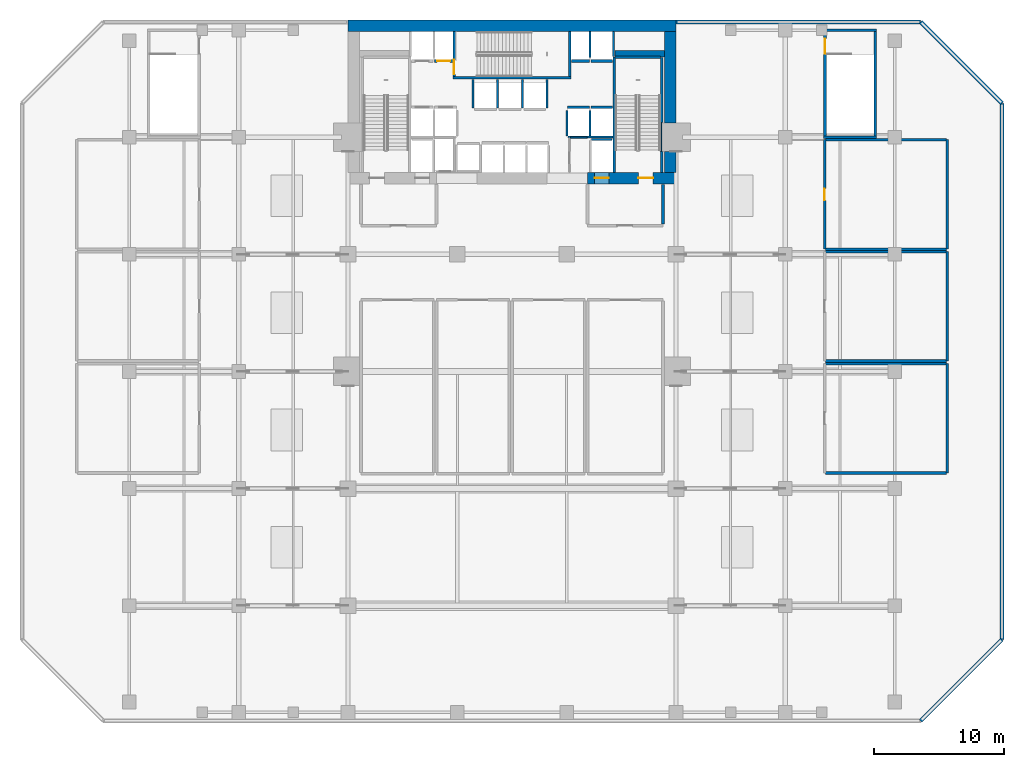
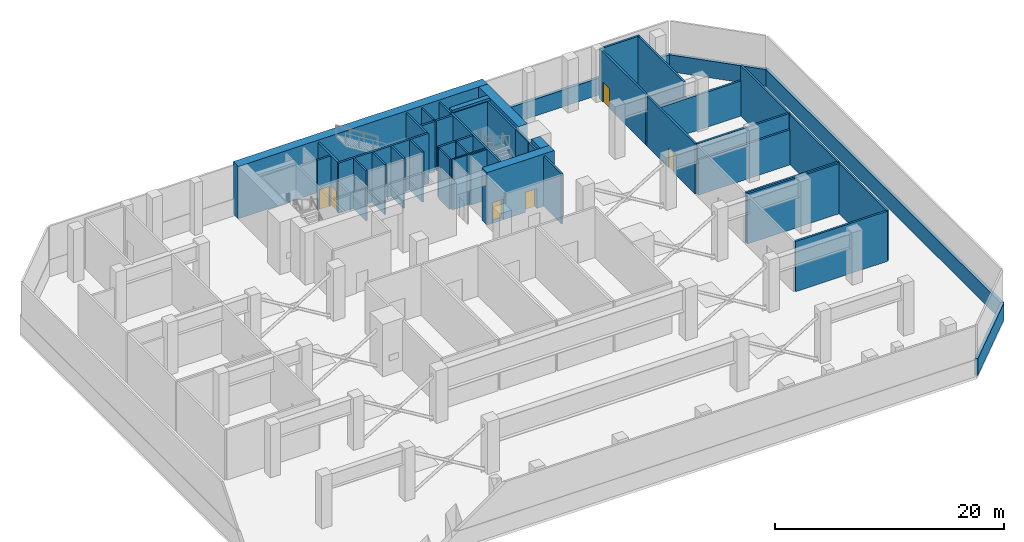
# One storey, part 10 of 15: 48 walls, 6 doors, 6 openings.
"""IFC4 building model written with IfcOpenShell, lengths in metres."""

from ifc_helpers import new_model, si_unit, direction, frame, frame_2d, origin, place, context, subcontext, project, spatial, rectangle, extrude, material, layer, layer_set, type_object, element, fill, save


model = new_model("IFC4")

# Units and contexts
model_context = context("Model", 3, precision=1e-05, world=origin(), true_north=direction((0.0, 1.0)))
body_context = subcontext(model_context, "Body", "Model", "MODEL_VIEW")
ifc_project = project(units=[si_unit("LENGTHUNIT", "METRE"), si_unit("AREAUNIT", "SQUARE_METRE"), si_unit("VOLUMEUNIT", "CUBIC_METRE"), si_unit("PLANEANGLEUNIT", "RADIAN"), si_unit("MASSUNIT", "GRAM", prefix="KILO")], contexts=[model_context])

# Site, building, storey
site_placement = place(None, origin())
site = spatial("IfcSite", under=ifc_project, at=site_placement, CompositionType="ELEMENT")
building_placement = place(site_placement, origin())
building = spatial("IfcBuilding", under=site, at=building_placement, Name="Maruvema Waterfront Hotel and Observation Tower", CompositionType="ELEMENT")
storey_placement = place(building_placement, frame((0.0, 0.0, 21.35009765625)))
storey = spatial("IfcBuildingStorey", under=building, at=storey_placement, Name="L04", CompositionType="ELEMENT", Elevation=21.35009765625)

# Walls
ifc_material_1 = material(Name="Precast concrete C45/55", Category="concrete")
ifc_layer_1 = layer(ifc_material_1, 0.199951171875, Name="Core Shaft and Stairwell Enclosure Wall 200 mm")
ifc_layer_set_1 = layer_set([ifc_layer_1], Name="Precast concrete C45/55")
wall_type_1 = type_object("IfcWallType", Name="Core Shaft and Stairwell Enclosure Wall 200 mm", PredefinedType="SOLIDWALL", material=ifc_layer_set_1)
wall_1_placement = place(storey_placement, frame((33.25, 49.550048828125, 0.0), z_axis=(0.0, 0.0, 1.0), x_axis=(1.0, 0.0, 0.0)))
element("IfcWall", 1, at=wall_1_placement, inside=storey, type_object=wall_type_1, Name="L04 Stairwell ST-02 Shaft Wall", PredefinedType="SOLIDWALL", context=body_context, shape_type="SweptSolid", body=[
    extrude(rectangle(XDim=9.10009765625, YDim=0.199951171875, at=frame_2d((4.550048828125, 0.0))), origin(), (0.0, 0.0, 1.0), 5.35986328125),
])
wall_2_placement = place(storey_placement, frame((42.25, 49.64990234375, 0.0), z_axis=(0.0, 0.0, 1.0), x_axis=(0.0, 1.0, 0.0)))
element("IfcWall", 2, at=wall_2_placement, inside=storey, type_object=wall_type_1, Name="L04 Stairwell ST-02 Shaft Wall", PredefinedType="SOLIDWALL", context=body_context, shape_type="SweptSolid", body=[
    extrude(rectangle(XDim=3.4501953125, YDim=0.199951171875, at=frame_2d((1.72509765625, 0.0))), origin(), (0.0, 0.0, 1.0), 5.35986328125),
])

# Wall, opening, door
wall_3_placement = place(storey_placement, frame((33.35009765625, 49.64990234375, 0.0), z_axis=(0.0, 0.0, 1.0), x_axis=(0.0, 1.0, 0.0)))
wall_3 = element("IfcWall", 3, at=wall_3_placement, inside=storey, type_object=wall_type_1, Name="L04 Stairwell ST-02 Shaft Wall", PredefinedType="SOLIDWALL", context=body_context, shape_type="SweptSolid", body=[
    extrude(rectangle(XDim=3.4501953125, YDim=0.199951171875, at=frame_2d((1.72509765625, 0.0))), origin(), (0.0, 0.0, 1.0), 5.35986328125),
])
opening_1_placement = place(wall_3_placement, frame((0.179931640625, 0.0, 0.0)))
opening_1 = element("IfcOpeningElement", 4, at=opening_1_placement, cuts=wall_3, Name="Opening SD-02", PredefinedType="OPENING", context=body_context, shape_type="SweptSolid", body=[
    extrude(rectangle(XDim=1.10009765625, YDim=2.14990234375, at=frame_2d((0.550048828125, 1.074951171875))), frame((0.0, 0.10986328125, 0.0), z_axis=(0.0, -1.0, 0.0), x_axis=(1.0, 0.0, 0.0)), (0.0, 0.0, 1.0), 0.219970703125),
])
ifc_material_2 = material(Name="Fire-rated galvanised steel leaf", Category="steel")
door_type_1 = type_object("IfcDoorType", Name="Central Exit Stair Fire Door 1100x2150 mm", OperationType="NOTDEFINED", PredefinedType="DOOR", material=ifc_material_2)
door_1_placement = place(opening_1_placement, frame((1.10009765625, 0.0, 0.0), z_axis=(0.0, 0.0, 1.0), x_axis=(-1.0, 0.0, 0.0)))
door_1 = element("IfcDoor", 5, at=door_1_placement, inside=storey, type_object=door_type_1, Name="L04 Exit Stair ST-02 Fire Door", OperationType="SINGLE_SWING_LEFT", OverallHeight=2.14990234375, OverallWidth=1.10009765625, PredefinedType="DOOR", context=body_context, shape_type="SweptSolid", body=[
    extrude(rectangle(XDim=1.10009765625, YDim=2.14990234375, at=frame_2d((0.550048828125, 1.074951171875))), frame((0.0, 0.02490234375, 0.0), z_axis=(0.0, -1.0, 0.0), x_axis=(1.0, 0.0, 0.0)), (0.0, 0.0, 1.0), 0.050048828125),
])
fill(opening_1, door_1)

# Walls
wall_4_placement = place(storey_placement, frame((45.64990234375, 42.300048828125, 0.0), z_axis=(0.0, 0.0, 1.0), x_axis=(0.0, 1.0, 0.0)))
element("IfcWall", 6, at=wall_4_placement, inside=storey, type_object=wall_type_1, Name="L04 Stairwell ST-03 West Shaft Wall", PredefinedType="SOLIDWALL", context=body_context, shape_type="SweptSolid", body=[
    extrude(rectangle(XDim=8.849853515625, YDim=0.199951171875, at=frame_2d((4.4248046875, 0.0))), origin(), (0.0, 0.0, 1.0), 5.35986328125),
])
wall_5_placement = place(storey_placement, frame((49.300048828125, 42.300048828125, 0.0), z_axis=(0.0, 0.0, 1.0), x_axis=(0.0, 1.0, 0.0)))
element("IfcWall", 7, at=wall_5_placement, inside=storey, type_object=wall_type_1, Name="L04 Stairwell ST-03 Shaft Lining Wall", PredefinedType="SOLIDWALL", context=body_context, shape_type="SweptSolid", body=[
    extrude(rectangle(XDim=1.579833984375, YDim=0.199951171875, at=frame_2d((0.7900390625, 0.0))), origin(), (0.0, 0.0, 1.0), 5.35986328125),
])
wall_6_placement = place(storey_placement, frame((49.300048828125, 46.1201171875, 0.0), z_axis=(0.0, 0.0, 1.0), x_axis=(0.0, 1.0, 0.0)))
element("IfcWall", 8, at=wall_6_placement, inside=storey, type_object=wall_type_1, Name="L04 Stairwell ST-03 Shaft Lining Wall", PredefinedType="SOLIDWALL", context=body_context, shape_type="SweptSolid", body=[
    extrude(rectangle(XDim=5.0, YDim=0.199951171875, at=frame_2d((2.5, 0.0))), origin(), (0.0, 0.0, 1.0), 5.35986328125),
])
wall_7_placement = place(storey_placement, frame((45.719970703125, 51.14990234375, 0.0), z_axis=(0.0, 0.0, 1.0), x_axis=(1.0, 0.0, 0.0)))
element("IfcWall", 9, at=wall_7_placement, inside=storey, type_object=wall_type_1, Name="L04 Stairwell ST-03 Shaft Lining Wall", PredefinedType="SOLIDWALL", context=body_context, shape_type="SweptSolid", body=[
    extrude(rectangle(XDim=3.5, YDim=0.199951171875, at=frame_2d((1.75, 0.0))), origin(), (0.0, 0.0, 1.0), 5.35986328125),
])
wall_8_placement = place(storey_placement, frame((61.75, 45.0, 0.0), z_axis=(0.0, 0.0, 1.0), x_axis=(1.0, 0.0, 0.0)))
element("IfcWall", 10, at=wall_8_placement, inside=storey, type_object=wall_type_1, Name="L04 Stairwell ST-05 Shaft Wall", PredefinedType="SOLIDWALL", context=body_context, shape_type="SweptSolid", body=[
    extrude(rectangle(XDim=4.050048828125, YDim=0.199951171875, at=frame_2d((2.02490234375, 0.0))), origin(), (0.0, 0.0, 1.0), 3.760009765625),
])

# Wall, opening, door
wall_9_placement = place(storey_placement, frame((61.85009765625, 45.10009765625, 0.0), z_axis=(0.0, 0.0, 1.0), x_axis=(0.0, 1.0, 0.0)))
wall_9 = element("IfcWall", 11, at=wall_9_placement, inside=storey, type_object=wall_type_1, Name="L04 Stairwell ST-05 Shaft Wall", PredefinedType="SOLIDWALL", context=body_context, shape_type="SweptSolid", body=[
    extrude(rectangle(XDim=8.099853515625, YDim=0.199951171875, at=frame_2d((4.0498046875, 0.0))), origin(), (0.0, 0.0, 1.0), 5.35986328125),
])
opening_2_placement = place(wall_9_placement, frame((6.320068359375, 0.0, 0.0)))
opening_2 = element("IfcOpeningElement", 12, at=opening_2_placement, cuts=wall_9, Name="Opening SD-01", PredefinedType="OPENING", context=body_context, shape_type="SweptSolid", body=[
    extrude(rectangle(XDim=1.14990234375, YDim=2.14990234375, at=frame_2d((0.574951171875, 1.074951171875))), frame((0.0, 0.10986328125, 0.0), z_axis=(0.0, -1.0, 0.0), x_axis=(1.0, 0.0, 0.0)), (0.0, 0.0, 1.0), 0.219970703125),
])
ifc_material_3 = material(Name="Fire-rated galvanised steel leaf", Category="steel")
door_type_2 = type_object("IfcDoorType", Name="Exit Stair Fire Door 1150x2150 mm", OperationType="NOTDEFINED", PredefinedType="DOOR", material=ifc_material_3)
door_2_placement = place(opening_2_placement, frame((1.14990234375, 0.0, 0.0), z_axis=(0.0, 0.0, 1.0), x_axis=(-1.0, 0.0, 0.0)))
door_2 = element("IfcDoor", 13, at=door_2_placement, inside=storey, type_object=door_type_2, Name="L04 Exit Stair ST-05 Fire Door", OperationType="SINGLE_SWING_LEFT", OverallHeight=2.14990234375, OverallWidth=1.14990234375, PredefinedType="DOOR", context=body_context, shape_type="SweptSolid", body=[
    extrude(rectangle(XDim=1.14990234375, YDim=2.14990234375, at=frame_2d((0.574951171875, 1.074951171875))), frame((0.0, 0.02490234375, 0.0), z_axis=(0.0, -1.0, 0.0), x_axis=(1.0, 0.0, 0.0)), (0.0, 0.0, 1.0), 0.050048828125),
])
fill(opening_2, door_2)

# Walls
wall_10_placement = place(storey_placement, frame((65.699951171875, 45.10009765625, 0.0), z_axis=(0.0, 0.0, 1.0), x_axis=(0.0, 1.0, 0.0)))
element("IfcWall", 14, at=wall_10_placement, inside=storey, type_object=wall_type_1, Name="L04 Stairwell ST-05 Shaft Wall", PredefinedType="SOLIDWALL", context=body_context, shape_type="SweptSolid", body=[
    extrude(rectangle(XDim=8.099853515625, YDim=0.199951171875, at=frame_2d((4.0498046875, 0.0))), origin(), (0.0, 0.0, 1.0), 5.35986328125),
])
wall_11_placement = place(storey_placement, frame((61.75, 53.199951171875, 0.0), z_axis=(0.0, 0.0, 1.0), x_axis=(1.0, 0.0, 0.0)))
element("IfcWall", 15, at=wall_11_placement, inside=storey, type_object=wall_type_1, Name="L04 Stairwell ST-05 Shaft Wall", PredefinedType="SOLIDWALL", context=body_context, shape_type="SweptSolid", body=[
    extrude(rectangle(XDim=4.050048828125, YDim=0.199951171875, at=frame_2d((2.02490234375, 0.0))), origin(), (0.0, 0.0, 1.0), 5.35986328125),
])

# Wall, opening, door
wall_12_placement = place(storey_placement, frame((31.860107421875, 50.85009765625, 0.0), z_axis=(0.0, 0.0, 1.0), x_axis=(1.0, 0.0, 0.0)))
wall_12 = element("IfcWall", 16, at=wall_12_placement, inside=storey, type_object=wall_type_1, Name="L04 Lift LF-04 Hoistway Front Wall", PredefinedType="SOLIDWALL", context=body_context, shape_type="SweptSolid", body=[
    extrude(rectangle(XDim=1.3798828125, YDim=0.199951171875, at=frame_2d((0.68994140625, 0.0))), origin(), (0.0, 0.0, 1.0), 5.35986328125),
])
opening_3_placement = place(wall_12_placement, frame((0.18994140625, 0.0, 0.0)))
opening_3 = element("IfcOpeningElement", 17, at=opening_3_placement, cuts=wall_12, Name="Opening LD-01", PredefinedType="OPENING", context=body_context, shape_type="SweptSolid", body=[
    extrude(rectangle(XDim=1.0, YDim=2.14990234375, at=frame_2d((0.5, 1.074951171875))), frame((0.0, 0.10986328125, 0.0), z_axis=(0.0, -1.0, 0.0), x_axis=(1.0, 0.0, 0.0)), (0.0, 0.0, 1.0), 0.219970703125),
])
ifc_material_4 = material(Name="Brushed stainless steel Grade 316", Category="steel")
door_type_3 = type_object("IfcDoorType", Name="Passenger Lift Sliding Landing Door 1000x2150 mm", OperationType="SLIDING_TO_LEFT", PredefinedType="DOOR", material=ifc_material_4)
door_3_placement = place(opening_3_placement, frame((1.0, 0.0, 0.0), z_axis=(0.0, 0.0, 1.0), x_axis=(-1.0, 0.0, 0.0)))
door_3 = element("IfcDoor", 18, at=door_3_placement, inside=storey, type_object=door_type_3, Name="L04 Lift LF-04 Sliding Landing Door", OperationType="SLIDING_TO_LEFT", OverallHeight=2.14990234375, OverallWidth=1.0, PredefinedType="DOOR", context=body_context, shape_type="SweptSolid", body=[
    extrude(rectangle(XDim=1.0, YDim=2.14990234375, at=frame_2d((0.5, 1.074951171875))), frame((0.0, 0.02490234375, 0.0), z_axis=(0.0, -1.0, 0.0), x_axis=(1.0, 0.0, 0.0)), (0.0, 0.0, 1.0), 0.050048828125),
])
fill(opening_3, door_3)

# Walls
for number, where, z_axis, x_axis, name in (
    (19, (42.06005859375, 47.300048828125, 0.0), (0.0, 0.0, 1.0), (1.0, 0.0, 0.0), "L04 Lift LF-05 Hoistway Front Wall"),
    (20, (43.860107421875, 47.300048828125, 0.0), (0.0, 0.0, 1.0), (1.0, 0.0, 0.0), "L04 Lift LF-06 Hoistway Front Wall"),
):
    element("IfcWall", number, at=place(storey_placement, frame(where, z_axis=z_axis, x_axis=x_axis)), inside=storey, type_object=wall_type_1, Name=name, PredefinedType="SOLIDWALL", context=body_context, shape_type="SweptSolid", body=[
        extrude(rectangle(XDim=1.679931640625, YDim=0.199951171875, at=frame_2d((0.83984375, 0.0))), origin(), (0.0, 0.0, 1.0), 5.35986328125),
    ])
wall_13_placement = place(storey_placement, frame((42.360107421875, 50.85009765625, 0.0), z_axis=(0.0, 0.0, 1.0), x_axis=(1.0, 0.0, 0.0)))
element("IfcWall", 21, at=wall_13_placement, inside=storey, type_object=wall_type_1, Name="L04 Lift LF-07 Hoistway Front Wall", PredefinedType="SOLIDWALL", context=body_context, shape_type="SweptSolid", body=[
    extrude(rectangle(XDim=1.3798828125, YDim=0.199951171875, at=frame_2d((0.68994140625, 0.0))), origin(), (0.0, 0.0, 1.0), 5.35986328125),
])
wall_14_placement = place(storey_placement, frame((43.860107421875, 50.85009765625, 0.0), z_axis=(0.0, 0.0, 1.0), x_axis=(1.0, 0.0, 0.0)))
element("IfcWall", 22, at=wall_14_placement, inside=storey, type_object=wall_type_1, Name="L04 Lift LF-08 Hoistway Front Wall", PredefinedType="SOLIDWALL", context=body_context, shape_type="SweptSolid", body=[
    extrude(rectangle(XDim=1.679931640625, YDim=0.199951171875, at=frame_2d((0.83984375, 0.0))), origin(), (0.0, 0.0, 1.0), 5.35986328125),
])
ifc_material_5 = material(Name="Concrete C70/85", Category="concrete")
ifc_layer_2 = layer(ifc_material_5, 0.5, Name="Core Shear Wall 500 mm")
ifc_layer_set_2 = layer_set([ifc_layer_2], Name="Concrete C70/85")
wall_type_2 = type_object("IfcWallType", Name="Core Shear Wall 500 mm", PredefinedType="SHEAR", material=ifc_layer_set_2)
wall_15_placement = place(storey_placement, frame((45.699951171875, 51.39990234375, 0.0), z_axis=(0.0, 0.0, 1.0), x_axis=(1.0, 0.0, 0.0)))
element("IfcWall", 23, at=wall_15_placement, inside=storey, type_object=wall_type_2, Name="L04 Internal Core Shear Wall NE 500 mm", PredefinedType="SHEAR", context=body_context, shape_type="SweptSolid", body=[
    extrude(rectangle(XDim=3.800048828125, YDim=0.5, at=frame_2d((1.89990234375, 0.0))), origin(), (0.0, 0.0, 1.0), 5.599853515625),
])
ifc_material_6 = material(Name="Concrete C80/95", Category="concrete")
ifc_layer_3 = layer(ifc_material_6, 0.89990234375, Name="Core Shear Wall 900 mm")
ifc_layer_set_3 = layer_set([ifc_layer_3], Name="Concrete C80/95")
wall_type_3 = type_object("IfcWallType", Name="Core Shear Wall 900 mm", PredefinedType="SHEAR", material=ifc_layer_set_3)
wall_16_placement = place(storey_placement, frame((25.199951171875, 53.550048828125, 0.0), z_axis=(0.0, 0.0, 1.0), x_axis=(1.0, 0.0, 0.0)))
element("IfcWall", 24, at=wall_16_placement, inside=storey, type_object=wall_type_3, Name="L04 North Core Shear Wall", PredefinedType="SHEAR", context=body_context, shape_type="SweptSolid", body=[
    extrude(rectangle(XDim=25.199951171875, YDim=0.89990234375, at=frame_2d((12.60009765625, 0.0))), origin(), (0.0, 0.0, 1.0), 5.599853515625),
])

# Wall, openings, doors
wall_17_placement = place(storey_placement, frame((43.60009765625, 41.85009765625, 0.0), z_axis=(0.0, 0.0, 1.0), x_axis=(1.0, 0.0, 0.0)))
wall_17 = element("IfcWall", 25, at=wall_17_placement, inside=storey, type_object=wall_type_3, Name="L04 South-East Core Shear Wall", PredefinedType="SHEAR", context=body_context, shape_type="SweptSolid", body=[
    extrude(rectangle(XDim=6.7998046875, YDim=0.89990234375, at=frame_2d((3.39990234375, 0.0))), origin(), (0.0, 0.0, 1.0), 5.599853515625),
])
opening_4_placement = place(wall_17_placement, frame((3.89990234375, 0.0, 0.0)))
opening_4 = element("IfcOpeningElement", 26, at=opening_4_placement, cuts=wall_17, Name="Opening SD-01", PredefinedType="OPENING", context=body_context, shape_type="SweptSolid", body=[
    extrude(rectangle(XDim=1.14990234375, YDim=2.14990234375, at=frame_2d((0.574951171875, 1.074951171875))), frame((0.0, 0.4599609375, 0.0), z_axis=(0.0, -1.0, 0.0), x_axis=(1.0, 0.0, 0.0)), (0.0, 0.0, 1.0), 0.919921875),
])
opening_5_placement = place(wall_17_placement, frame((0.550048828125, 0.0, 0.0)))
opening_5 = element("IfcOpeningElement", 27, at=opening_5_placement, cuts=wall_17, Name="Opening LD-03", PredefinedType="OPENING", context=body_context, shape_type="SweptSolid", body=[
    extrude(rectangle(XDim=1.10009765625, YDim=2.199951171875, at=frame_2d((0.550048828125, 1.10009765625))), frame((0.0, 0.4599609375, 0.0), z_axis=(0.0, -1.0, 0.0), x_axis=(1.0, 0.0, 0.0)), (0.0, 0.0, 1.0), 0.919921875),
])
door_4_placement = place(opening_4_placement, origin())
door_4 = element("IfcDoor", 28, at=door_4_placement, inside=storey, type_object=door_type_2, Name="L04 Exit Stair ST-03 Fire Door", OperationType="SINGLE_SWING_RIGHT", OverallHeight=2.14990234375, OverallWidth=1.14990234375, PredefinedType="DOOR", context=body_context, shape_type="SweptSolid", body=[
    extrude(rectangle(XDim=1.14990234375, YDim=2.14990234375, at=frame_2d((0.574951171875, 1.074951171875))), frame((0.0, 0.02490234375, 0.0), z_axis=(0.0, -1.0, 0.0), x_axis=(1.0, 0.0, 0.0)), (0.0, 0.0, 1.0), 0.050048828125),
])
fill(opening_4, door_4)
ifc_material_7 = material(Name="Brushed stainless steel Grade 316", Category="steel")
door_type_4 = type_object("IfcDoorType", Name="Firefighting Lift Sliding Landing Door 1100x2200 mm", OperationType="SLIDING_TO_LEFT", PredefinedType="DOOR", material=ifc_material_7)
door_5_placement = place(opening_5_placement, frame((1.10009765625, 0.0, 0.0), z_axis=(0.0, 0.0, 1.0), x_axis=(-1.0, 0.0, 0.0)))
door_5 = element("IfcDoor", 29, at=door_5_placement, inside=storey, type_object=door_type_4, Name="L04 Firefighting Lift FL-02 Landing Door", OperationType="SLIDING_TO_LEFT", OverallHeight=2.199951171875, OverallWidth=1.10009765625, PredefinedType="DOOR", context=body_context, shape_type="SweptSolid", body=[
    extrude(rectangle(XDim=1.10009765625, YDim=2.199951171875, at=frame_2d((0.550048828125, 1.10009765625))), frame((0.0, 0.02490234375, 0.0), z_axis=(0.0, -1.0, 0.0), x_axis=(1.0, 0.0, 0.0)), (0.0, 0.0, 1.0), 0.050048828125),
])
fill(opening_5, door_5)

# Walls
wall_18_placement = place(storey_placement, frame((49.949951171875, 42.300048828125, 0.0), z_axis=(0.0, 0.0, 1.0), x_axis=(0.0, 1.0, 0.0)))
element("IfcWall", 30, at=wall_18_placement, inside=storey, type_object=wall_type_3, Name="L04 East-South Core Shear Wall", PredefinedType="SHEAR", context=body_context, shape_type="SweptSolid", body=[
    extrude(rectangle(XDim=1.599853515625, YDim=0.89990234375, at=frame_2d((0.7998046875, 0.0))), origin(), (0.0, 0.0, 1.0), 5.599853515625),
])
wall_19_placement = place(storey_placement, frame((49.949951171875, 46.10009765625, 0.0), z_axis=(0.0, 0.0, 1.0), x_axis=(0.0, 1.0, 0.0)))
element("IfcWall", 31, at=wall_19_placement, inside=storey, type_object=wall_type_3, Name="L04 East-North Core Shear Wall", PredefinedType="SHEAR", context=body_context, shape_type="SweptSolid", body=[
    extrude(rectangle(XDim=7.0, YDim=0.89990234375, at=frame_2d((3.5, 0.0))), origin(), (0.0, 0.0, 1.0), 5.599853515625),
])
ifc_material_8 = material(Name="Moisture-resistant cement-board drywall", Category="gypsum")
ifc_layer_4 = layer(ifc_material_8, 0.10009765625, Name="En-Suite Moisture-Resistant Partition 100 mm")
ifc_layer_set_4 = layer_set([ifc_layer_4], Name="Moisture-resistant cement-board drywall")
wall_type_4 = type_object("IfcWallType", Name="En-Suite Moisture-Resistant Partition 100 mm", PredefinedType="PARTITIONING", material=ifc_layer_set_4)
wall_20_placement = place(storey_placement, frame((42.280029296875, 44.9599609375, 0.0), z_axis=(0.0, 0.0, 1.0), x_axis=(1.0, 0.0, 0.0)))
element("IfcWall", 32, at=wall_20_placement, inside=storey, type_object=wall_type_4, Name="L04 Core Closet K1 North 011", PredefinedType="PARTITIONING", context=body_context, shape_type="SweptSolid", body=[
    extrude(rectangle(XDim=1.300048828125, YDim=0.10009765625, at=frame_2d((0.64990234375, 0.0))), origin(), (0.0, 0.0, 1.0), 5.35986328125),
])
ifc_material_9 = material(Name="Autoclaved cellular concrete blockwork", Category="masonry")
ifc_layer_5 = layer(ifc_material_9, 0.199951171875, Name="Fire Compartment Masonry Wall 200 mm")
ifc_layer_set_5 = layer_set([ifc_layer_5], Name="Autoclaved cellular concrete blockwork")
wall_type_5 = type_object("IfcWallType", Name="Fire Compartment Masonry Wall 200 mm", PredefinedType="PARTITIONING", material=ifc_layer_set_5)
wall_21_placement = place(storey_placement, frame((49.39990234375, 38.31005859375, 0.0), z_axis=(0.0, 0.0, 1.0), x_axis=(0.0, 1.0, 0.0)))
element("IfcWall", 33, at=wall_21_placement, inside=storey, type_object=wall_type_5, Name="L04 FFL East East Wall 006", PredefinedType="PARTITIONING", context=body_context, shape_type="SweptSolid", body=[
    extrude(rectangle(XDim=3.06982421875, YDim=0.199951171875, at=frame_2d((1.534912109375, 0.0))), origin(), (0.0, 0.0, 1.0), 5.35986328125),
])
wall_22_placement = place(storey_placement, frame((71.25, 19.199951171875, 0.0), z_axis=(0.0, 0.0, 1.0), x_axis=(0.0, 1.0, 0.0)))
element("IfcWall", 34, at=wall_22_placement, inside=storey, type_object=wall_type_5, Name="L04 L04 AHU Plant Room East 1 East 041", PredefinedType="PARTITIONING", context=body_context, shape_type="SweptSolid", body=[
    extrude(rectangle(XDim=8.400146484375, YDim=0.199951171875, at=frame_2d((4.2001953125, 0.0))), origin(), (0.0, 0.0, 1.0), 5.35986328125),
])
for number, where, z_axis, x_axis, name in (
    (35, (61.8798828125, 19.199951171875, 0.0), (0.0, 0.0, 1.0), (1.0, 0.0, 0.0), "L04 L04 AHU Plant Room East 1 South 042"),
    (36, (61.8798828125, 27.60009765625, 0.0), (0.0, 0.0, 1.0), (1.0, 0.0, 0.0), "L04 L04 AHU Plant Room East 1 North 043"),
):
    element("IfcWall", number, at=place(storey_placement, frame(where, z_axis=z_axis, x_axis=x_axis)), inside=storey, type_object=wall_type_5, Name=name, PredefinedType="PARTITIONING", context=body_context, shape_type="SweptSolid", body=[
        extrude(rectangle(XDim=9.300048828125, YDim=0.199951171875, at=frame_2d((4.64990234375, 0.0))), origin(), (0.0, 0.0, 1.0), 5.35986328125),
    ])
wall_23_placement = place(storey_placement, frame((71.25, 27.800048828125, 0.0), z_axis=(0.0, 0.0, 1.0), x_axis=(0.0, 1.0, 0.0)))
element("IfcWall", 37, at=wall_23_placement, inside=storey, type_object=wall_type_5, Name="L04 L04 Transformer Plant Room East East 045", PredefinedType="PARTITIONING", context=body_context, shape_type="SweptSolid", body=[
    extrude(rectangle(XDim=8.39990234375, YDim=0.199951171875, at=frame_2d((4.199951171875, 0.0))), origin(), (0.0, 0.0, 1.0), 5.35986328125),
])
wall_24_placement = place(storey_placement, frame((61.8798828125, 27.800048828125, 0.0), z_axis=(0.0, 0.0, 1.0), x_axis=(1.0, 0.0, 0.0)))
element("IfcWall", 38, at=wall_24_placement, inside=storey, type_object=wall_type_5, Name="L04 L04 Transformer Plant Room East South 046", PredefinedType="PARTITIONING", context=body_context, shape_type="SweptSolid", body=[
    extrude(rectangle(XDim=9.300048828125, YDim=0.199951171875, at=frame_2d((4.64990234375, 0.0))), origin(), (0.0, 0.0, 1.0), 5.35986328125),
])
wall_25_placement = place(storey_placement, frame((61.8798828125, 36.199951171875, 0.0), z_axis=(0.0, 0.0, 1.0), x_axis=(1.0, 0.0, 0.0)))
element("IfcWall", 39, at=wall_25_placement, inside=storey, type_object=wall_type_5, Name="L04 L04 Transformer Plant Room East North 047", PredefinedType="PARTITIONING", context=body_context, shape_type="SweptSolid", body=[
    extrude(rectangle(XDim=9.300048828125, YDim=0.199951171875, at=frame_2d((4.64990234375, 0.0))), origin(), (0.0, 0.0, 1.0), 3.760009765625),
])

# Wall, opening, door
wall_26_placement = place(storey_placement, frame((61.820068359375, 36.39990234375, 0.0), z_axis=(0.0, 0.0, 1.0), x_axis=(0.0, 1.0, 0.0)))
wall_26 = element("IfcWall", 40, at=wall_26_placement, inside=storey, type_object=wall_type_5, Name="L04 L04 MEP Services Plant Room East West 048", PredefinedType="PARTITIONING", context=body_context, shape_type="SweptSolid", body=[
    extrude(rectangle(XDim=8.400146484375, YDim=0.199951171875, at=frame_2d((4.2001953125, 0.0))), origin(), (0.0, 0.0, 1.0), 5.35986328125),
])
opening_6_placement = place(wall_26_placement, frame((3.75, 0.0, 0.0)))
opening_6 = element("IfcOpeningElement", 41, at=opening_6_placement, cuts=wall_26, Name="Opening DR-090", PredefinedType="OPENING", context=body_context, shape_type="SweptSolid", body=[
    extrude(rectangle(XDim=0.89990234375, YDim=2.10009765625, at=frame_2d((0.449951171875, 1.050048828125))), frame((0.0, 0.10986328125, 0.0), z_axis=(0.0, -1.0, 0.0), x_axis=(1.0, 0.0, 0.0)), (0.0, 0.0, 1.0), 0.219970703125),
])
ifc_material_10 = material(Name="Solid-core lacquered timber leaf", Category="wood")
door_type_5 = type_object("IfcDoorType", Name="Accessible Toilet and Room Door 900x2100 mm", OperationType="NOTDEFINED", PredefinedType="DOOR", material=ifc_material_10)
door_6_placement = place(opening_6_placement, frame((0.89990234375, 0.0, 0.0), z_axis=(0.0, 0.0, 1.0), x_axis=(-1.0, 0.0, 0.0)))
door_6 = element("IfcDoor", 42, at=door_6_placement, inside=storey, type_object=door_type_5, Name="L04 MEP Services Plant Room East Door", OperationType="SINGLE_SWING_LEFT", OverallHeight=2.10009765625, OverallWidth=0.89990234375, PredefinedType="DOOR", context=body_context, shape_type="SweptSolid", body=[
    extrude(rectangle(XDim=0.89990234375, YDim=2.10009765625, at=frame_2d((0.449951171875, 1.050048828125))), frame((0.0, 0.02490234375, 0.0), z_axis=(0.0, -1.0, 0.0), x_axis=(1.0, 0.0, 0.0)), (0.0, 0.0, 1.0), 0.050048828125),
])
fill(opening_6, door_6)

# Walls
wall_27_placement = place(storey_placement, frame((71.25, 36.39990234375, 0.0), z_axis=(0.0, 0.0, 1.0), x_axis=(0.0, 1.0, 0.0)))
element("IfcWall", 43, at=wall_27_placement, inside=storey, type_object=wall_type_5, Name="L04 L04 MEP Services Plant Room East East 049", PredefinedType="PARTITIONING", context=body_context, shape_type="SweptSolid", body=[
    extrude(rectangle(XDim=8.400146484375, YDim=0.199951171875, at=frame_2d((4.2001953125, 0.0))), origin(), (0.0, 0.0, 1.0), 5.35986328125),
])
wall_28_placement = place(storey_placement, frame((61.8798828125, 36.39990234375, 0.0), z_axis=(0.0, 0.0, 1.0), x_axis=(1.0, 0.0, 0.0)))
element("IfcWall", 44, at=wall_28_placement, inside=storey, type_object=wall_type_5, Name="L04 L04 MEP Services Plant Room East South 050", PredefinedType="PARTITIONING", context=body_context, shape_type="SweptSolid", body=[
    extrude(rectangle(XDim=9.300048828125, YDim=0.199951171875, at=frame_2d((4.64990234375, 0.0))), origin(), (0.0, 0.0, 1.0), 5.35986328125),
])
wall_29_placement = place(storey_placement, frame((61.8798828125, 44.800048828125, 0.0), z_axis=(0.0, 0.0, 1.0), x_axis=(1.0, 0.0, 0.0)))
element("IfcWall", 45, at=wall_29_placement, inside=storey, type_object=wall_type_5, Name="L04 L04 MEP Services Plant Room East North 051", PredefinedType="PARTITIONING", context=body_context, shape_type="SweptSolid", body=[
    extrude(rectangle(XDim=9.300048828125, YDim=0.199951171875, at=frame_2d((4.64990234375, 0.0))), origin(), (0.0, 0.0, 1.0), 3.760009765625),
])
ifc_material_11 = material(Name="Precast concrete C45/55", Category="concrete")
ifc_layer_6 = layer(ifc_material_11, 0.159912109375, Name="Lift Hoistway Divider Wall 160 mm")
ifc_layer_set_6 = layer_set([ifc_layer_6], Name="Precast concrete C45/55")
wall_type_6 = type_object("IfcWallType", Name="Lift Hoistway Divider Wall 160 mm", PredefinedType="SOLIDWALL", material=ifc_layer_set_6)
wall_30_placement = place(storey_placement, frame((43.89990234375, 44.830078125, 0.0), z_axis=(0.0, 0.0, 1.0), x_axis=(1.0, 0.0, 0.0)))
element("IfcWall", 46, at=wall_30_placement, inside=storey, type_object=wall_type_6, Name="L04 Lift FL-02 Rear Hoistway Wall", PredefinedType="SOLIDWALL", context=body_context, shape_type="SweptSolid", body=[
    extrude(rectangle(XDim=1.60009765625, YDim=0.159912109375, at=frame_2d((0.800048828125, 0.0))), origin(), (0.0, 0.0, 1.0), 5.35986328125),
])
for number, where, z_axis, x_axis, name in (
    (47, (42.02001953125, 45.10009765625, 0.0), (0.0, 0.0, 1.0), (0.0, 1.0, 0.0), "L04 Hoistway Divider Wall"),
    (48, (43.800048828125, 45.10009765625, 0.0), (0.0, 0.0, 1.0), (0.0, 1.0, 0.0), "L04 Hoistway Divider Wall"),
):
    element("IfcWall", number, at=place(storey_placement, frame(where, z_axis=z_axis, x_axis=x_axis)), inside=storey, type_object=wall_type_6, Name=name, PredefinedType="SOLIDWALL", context=body_context, shape_type="SweptSolid", body=[
        extrude(rectangle(XDim=1.949951171875, YDim=0.159912109375, at=frame_2d((0.97509765625, 0.0))), origin(), (0.0, 0.0, 1.0), 5.35986328125),
    ])
wall_31_placement = place(storey_placement, frame((42.10009765625, 45.010009765625, 0.0), z_axis=(0.0, 0.0, 1.0), x_axis=(1.0, 0.0, 0.0)))
element("IfcWall", 49, at=wall_31_placement, inside=storey, type_object=wall_type_6, Name="L04 Hoistway Divider Wall", PredefinedType="SOLIDWALL", context=body_context, shape_type="SweptSolid", body=[
    extrude(rectangle(XDim=3.449951171875, YDim=0.159912109375, at=frame_2d((1.72509765625, 0.0))), origin(), (0.0, 0.0, 1.0), 5.35986328125),
])
wall_32_placement = place(storey_placement, frame((45.590087890625, 51.179931640625, 0.0), z_axis=(0.0, 0.0, 1.0), x_axis=(0.0, 1.0, 0.0)))
element("IfcWall", 50, at=wall_32_placement, inside=storey, type_object=wall_type_6, Name="L04 Hoistway Divider Wall", PredefinedType="SOLIDWALL", context=body_context, shape_type="SweptSolid", body=[
    extrude(rectangle(XDim=1.920166015625, YDim=0.159912109375, at=frame_2d((0.9599609375, 0.0))), origin(), (0.0, 0.0, 1.0), 5.35986328125),
])
wall_33_placement = place(storey_placement, frame((43.800048828125, 51.10009765625, 0.0), z_axis=(0.0, 0.0, 1.0), x_axis=(0.0, 1.0, 0.0)))
element("IfcWall", 51, at=wall_33_placement, inside=storey, type_object=wall_type_6, Name="L04 Hoistway Divider Wall", PredefinedType="SOLIDWALL", context=body_context, shape_type="SweptSolid", body=[
    extrude(rectangle(XDim=2.0, YDim=0.159912109375, at=frame_2d((1.0, 0.0))), origin(), (0.0, 0.0, 1.0), 5.35986328125),
])
for number, where, z_axis, x_axis, name in (
    (52, (34.800048828125, 47.25, 0.0), (0.0, 0.0, 1.0), (0.0, 1.0, 0.0), "L04 Hoistway Divider Wall"),
    (53, (36.699951171875, 47.25, 0.0), (0.0, 0.0, 1.0), (0.0, 1.0, 0.0), "L04 Hoistway Divider Wall"),
    (54, (38.60009765625, 47.25, 0.0), (0.0, 0.0, 1.0), (0.0, 1.0, 0.0), "L04 Hoistway Divider Wall"),
    (55, (40.5, 47.25, 0.0), (0.0, 0.0, 1.0), (0.0, 1.0, 0.0), "L04 Hoistway Divider Wall"),
):
    element("IfcWall", number, at=place(storey_placement, frame(where, z_axis=z_axis, x_axis=x_axis)), inside=storey, type_object=wall_type_6, Name=name, PredefinedType="SOLIDWALL", context=body_context, shape_type="SweptSolid", body=[
        extrude(rectangle(XDim=2.18994140625, YDim=0.159912109375, at=frame_2d((1.094970703125, 0.0))), origin(), (0.0, 0.0, 1.0), 5.35986328125),
    ])
ifc_material_12 = material(Name="Precast concrete C45/55 with honed Pernambuco granite facing", Category="masonry")
ifc_layer_7 = layer(ifc_material_12, 0.300048828125, Name="Podium Waterfront Granite Colonnade Wall 300 mm")
ifc_layer_set_7 = layer_set([ifc_layer_7], Name="Precast concrete C45/55 with honed Pernambuco granite facing")
wall_type_7 = type_object("IfcWallType", Name="Podium Waterfront Granite Colonnade Wall 300 mm", PredefinedType="SOLIDWALL", material=ifc_layer_set_7)
wall_34_placement = place(storey_placement, frame((69.199951171875, 0.14990234375, 0.0), z_axis=(0.0, 0.0, 1.0), x_axis=(0.707106781187, 0.707106781187, 0.0)))
element("IfcWall", 56, at=wall_34_placement, inside=storey, type_object=wall_type_7, Name="L04 Plant Perimeter Spandrel SE", PredefinedType="SOLIDWALL", context=body_context, shape_type="SweptSolid", body=[
    extrude(rectangle(XDim=8.8388671875, YDim=0.300048828125, at=frame_2d((4.41943359375, 0.0))), origin(), (0.0, 0.0, 1.0), 1.7998046875),
])
wall_35_placement = place(storey_placement, frame((75.449951171875, 6.39990234375, 0.0), z_axis=(0.0, 0.0, 1.0), x_axis=(0.0, 1.0, 0.0)))
element("IfcWall", 57, at=wall_35_placement, inside=storey, type_object=wall_type_7, Name="L04 Plant Perimeter Spandrel E", PredefinedType="SOLIDWALL", context=body_context, shape_type="SweptSolid", body=[
    extrude(rectangle(XDim=41.2001953125, YDim=0.300048828125, at=frame_2d((20.60009765625, 0.0))), origin(), (0.0, 0.0, 1.0), 1.7998046875),
])
wall_36_placement = place(storey_placement, frame((75.449951171875, 47.60009765625, 0.0), z_axis=(0.0, 0.0, 1.0), x_axis=(-0.707106781187, 0.707106781187, 0.0)))
element("IfcWall", 58, at=wall_36_placement, inside=storey, type_object=wall_type_7, Name="L04 Plant Perimeter Spandrel NE", PredefinedType="SOLIDWALL", context=body_context, shape_type="SweptSolid", body=[
    extrude(rectangle(XDim=8.8388671875, YDim=0.300048828125, at=frame_2d((4.41943359375, 0.0))), origin(), (0.0, 0.0, 1.0), 1.7998046875),
])
wall_37_placement = place(storey_placement, frame((69.199951171875, 53.85009765625, 0.0), z_axis=(0.0, 0.0, 1.0), x_axis=(-1.0, 0.0, 0.0)))
element("IfcWall", 59, at=wall_37_placement, inside=storey, type_object=wall_type_7, Name="L04 Plant Perimeter Spandrel NW2", PredefinedType="SOLIDWALL", context=body_context, shape_type="SweptSolid", body=[
    extrude(rectangle(XDim=18.800048828125, YDim=0.300048828125, at=frame_2d((9.39990234375, 0.0))), origin(), (0.0, 0.0, 1.0), 1.7998046875),
])
ifc_material_13 = material(Name="Precast concrete C45/55", Category="concrete")
ifc_layer_8 = layer(ifc_material_13, 0.10009765625, Name="Stairwell Stringer Cheek Wall 100 mm")
ifc_layer_set_8 = layer_set([ifc_layer_8], Name="Precast concrete C45/55")
wall_type_8 = type_object("IfcWallType", Name="Stairwell Stringer Cheek Wall 100 mm", PredefinedType="SOLIDWALL", material=ifc_layer_set_8)
wall_38_placement = place(storey_placement, frame((49.248046875, 43.89990234375, 0.0), z_axis=(0.0, 0.0, 1.0), x_axis=(0.0, 1.0, 0.0)))
element("IfcWall", 60, at=wall_38_placement, inside=storey, type_object=wall_type_8, Name="L04 Stairwell ST-03 Mega-Column Cheek Wall", PredefinedType="SOLIDWALL", context=body_context, shape_type="SweptSolid", body=[
    extrude(rectangle(XDim=2.2001953125, YDim=0.10009765625, at=frame_2d((1.10009765625, 0.0))), origin(), (0.0, 0.0, 1.0), 5.35986328125),
])

save(model, "model.ifc")
